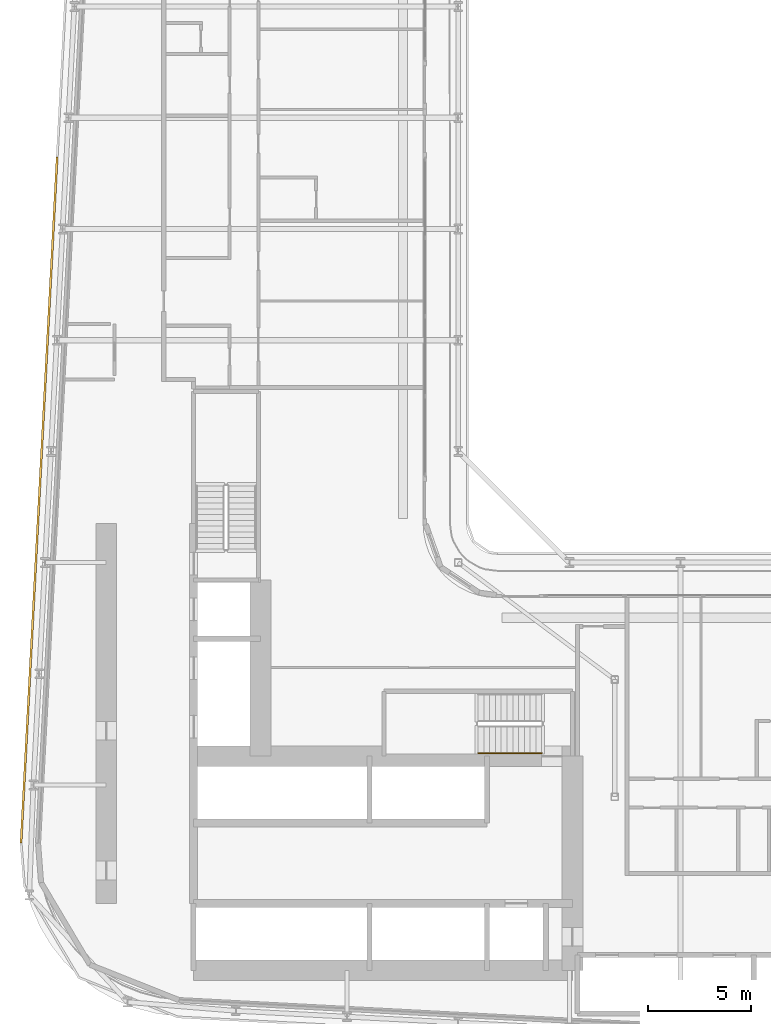
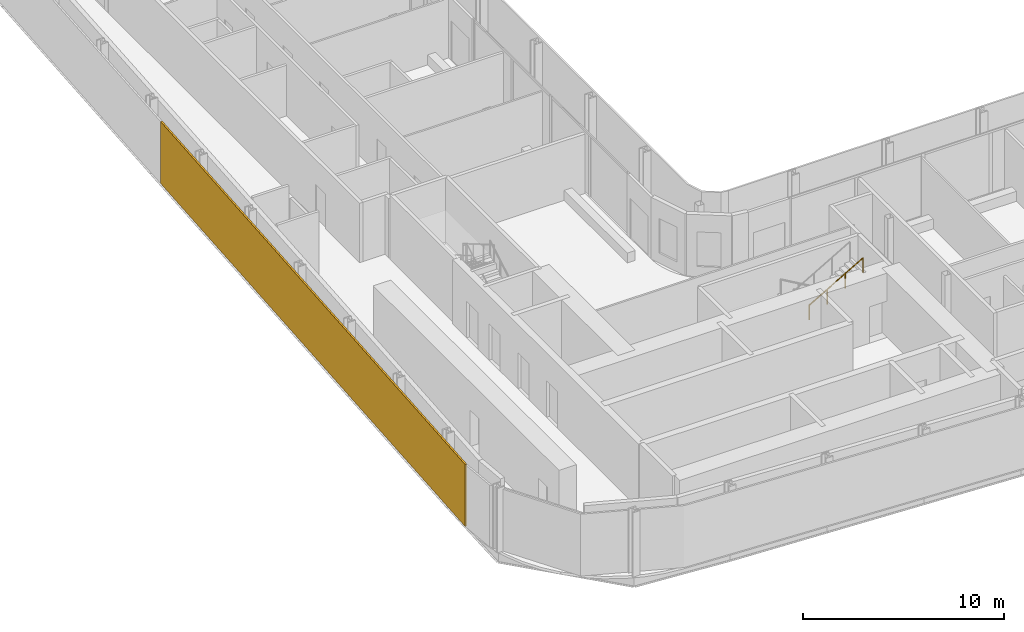
# One storey, part 23 of 29: 1 railing, 1 shading device.
"""IFC4 building model written with IfcOpenShell, lengths in metres."""

from ifc_helpers import new_model, si_unit, direction, frame, origin, origin_2d, place, context, subcontext, project, spatial, rectangle, circle, extrude, material, layer, layer_set, type_object, element, save


model = new_model("IFC4")

# Units and contexts
model_context = context("Model", 3, precision=1e-05, world=origin(), true_north=direction((0.0, 1.0)))
body_context = subcontext(model_context, "Body", "Model", "MODEL_VIEW")
ifc_project = project(units=[si_unit("LENGTHUNIT", "METRE"), si_unit("AREAUNIT", "SQUARE_METRE"), si_unit("VOLUMEUNIT", "CUBIC_METRE"), si_unit("PLANEANGLEUNIT", "RADIAN"), si_unit("MASSUNIT", "GRAM", prefix="KILO")], contexts=[model_context])

# Site, building, storey
site_placement = place(None, origin())
site = spatial("IfcSite", under=ifc_project, at=site_placement, CompositionType="ELEMENT")
building_placement = place(site_placement, origin())
building = spatial("IfcBuilding", under=site, at=building_placement, Name="Kheshtan School and Residences Tower", CompositionType="ELEMENT")
storey_placement = place(building_placement, frame((0.0, 0.0, 69.5)))
storey = spatial("IfcBuildingStorey", under=building, at=storey_placement, Name="L16", CompositionType="ELEMENT", Elevation=69.5)

# Shading device
ifc_material_1 = material(Name="Terracotta baguette, extruded ceramic", Category="masonry")
ifc_layer = layer(ifc_material_1, 0.10009765625)
ifc_layer_set = layer_set([ifc_layer], Name="Ledge screen, terracotta baguettes")
shading_device_type = type_object("IfcShadingDeviceType", Name="Ledge screen, terracotta baguettes", PredefinedType="USERDEFINED", material=ifc_layer_set)
shading_device_placement = place(storey_placement, frame((27.24609375, 48.638916015625, 0.0), z_axis=(0.0, 0.0, 1.0), x_axis=(0.052562536748, 0.998617634398, 0.0)))
element("IfcShadingDevice", 1, at=shading_device_placement, inside=storey, type_object=shading_device_type, Name="Screen L16 4", ObjectType="BAGUETTE", PredefinedType="USERDEFINED", context=body_context, shape_type="SweptSolid", body=[
    extrude(rectangle(XDim=33.341064453125, YDim=0.10009765625, at=origin_2d()), origin(), (0.0, 0.0, 1.0), 3.75),
])

# Railing
ifc_material_2 = material(Name="Stainless steel handrail", Category="steel")
railing_type = type_object("IfcRailingType", Name="Stair handrail 900", PredefinedType="HANDRAIL", material=ifc_material_2)
railing_placement = place(storey_placement, frame((48.570068359375, 36.35009765625, 2.112548828125)))
element("IfcRailing", 2, at=railing_placement, inside=storey, type_object=railing_type, Name="L16 ST1 stair handrail 2", PredefinedType="HANDRAIL", context=body_context, shape_type="SweptSolid", body=[
    extrude(circle(Radius=0.02392578125, at=origin_2d()), frame((0.0, 0.0, 0.8759765625), z_axis=(0.864903211148, 0.0, 0.501938676878), x_axis=(0.0, 1.0, 0.0)), (0.0, 0.0, 1.0), 3.560791015625),
    extrude(circle(Radius=0.02099609375, at=origin_2d()), origin(), (0.0, 0.0, 1.0), 0.851806640625),
    extrude(circle(Radius=0.02099609375, at=origin_2d()), frame((1.026611328125, 0.0, 0.595703125)), (0.0, 0.0, 1.0), 0.851806640625),
    extrude(circle(Radius=0.02099609375, at=origin_2d()), frame((2.05322265625, 0.0, 1.191650390625)), (0.0, 0.0, 1.0), 0.851806640625),
    extrude(circle(Radius=0.02099609375, at=origin_2d()), frame((3.079833984375, 0.0, 1.787353515625)), (0.0, 0.0, 1.0), 0.851806640625),
])

save(model, "model.ifc")
